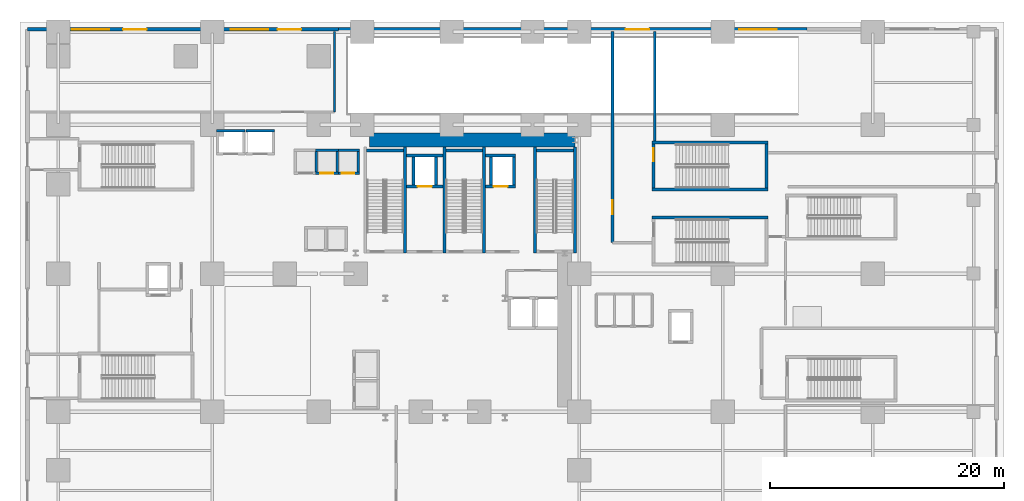
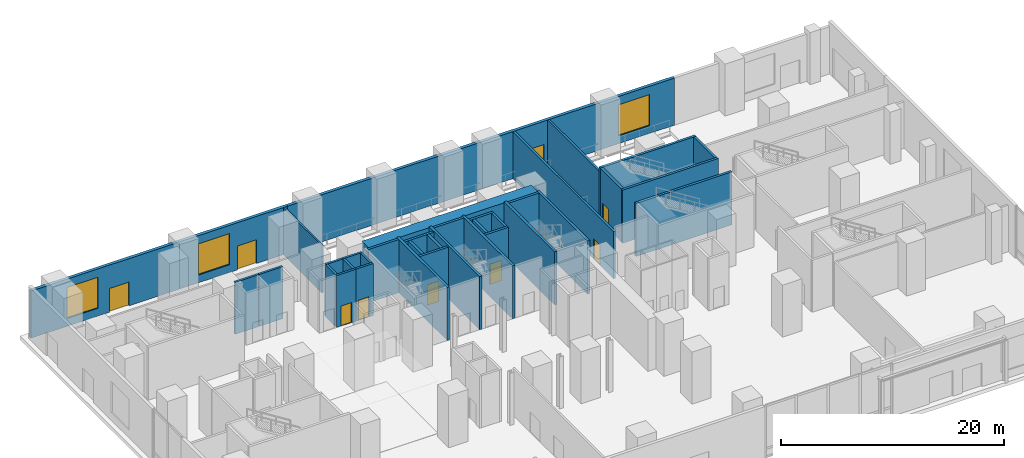
# One storey, part 16 of 25: 37 walls, 9 doors, 3 windows, 12 openings.
"""IFC4 building model written with IfcOpenShell, lengths in metres."""

from ifc_helpers import new_model, si_unit, direction, frame, frame_2d, origin, place, context, subcontext, project, spatial, rectangle, extrude, source, transform, mapped, material, layer, layer_set, type_object, element, fill, save


model = new_model("IFC4")

# Units and contexts
model_context = context("Model", 3, precision=1e-05, world=origin(), true_north=direction((0.0, 1.0)))
body_context = subcontext(model_context, "Body", "Model", "MODEL_VIEW")
ifc_project = project(units=[si_unit("LENGTHUNIT", "METRE"), si_unit("AREAUNIT", "SQUARE_METRE"), si_unit("VOLUMEUNIT", "CUBIC_METRE"), si_unit("PLANEANGLEUNIT", "RADIAN"), si_unit("MASSUNIT", "GRAM", prefix="KILO")], contexts=[model_context])

# Site, building, storey
site_placement = place(None, origin())
site = spatial("IfcSite", under=ifc_project, at=site_placement, CompositionType="ELEMENT")
building_placement = place(site_placement, origin())
building = spatial("IfcBuilding", under=site, at=building_placement, Name="Vardaveli Station Tower", CompositionType="ELEMENT")
storey_placement = place(building_placement, origin())
storey = spatial("IfcBuildingStorey", under=building, at=storey_placement, Name="L01", CompositionType="ELEMENT", Elevation=0.0)

# Wall
ifc_material_1 = material(Name="Concrete C70/85", Category="concrete")
ifc_layer_1 = layer(ifc_material_1, 1.199951171875, Name="Concrete C70/85")
ifc_layer_set_1 = layer_set([ifc_layer_1], Name="Concrete C70/85")
wall_type_1 = type_object("IfcWallType", Name="WAL-CORE-1200", PredefinedType="SHEAR", material=ifc_layer_set_1)
shared_shape_1 = source(origin(), body_context, "Body", "SweptSolid", [
    extrude(rectangle(XDim=17.52001953125, YDim=1.199951171875, at=frame_2d((8.760009765625, 0.0))), origin(), (0.0, 0.0, 1.0), 5.679931640625),
])
wall_1_placement = place(storey_placement, frame((29.85009765625, 40.300048828125, 0.0), z_axis=(0.0, 0.0, 1.0), x_axis=(1.0, 0.0, 0.0)))
element("IfcWall", 1, at=wall_1_placement, inside=storey, type_object=wall_type_1, Name="SW-L01-NORTH", PredefinedType="SHEAR", context=body_context, shape_type="MappedRepresentation", body=[
    mapped(shared_shape_1, transform((0.0, 0.0, 0.0), scale=1.0)),
])

# Wall, openings, door, window
ifc_material_2 = material(Name="Precast concrete C45/55", Category="concrete")
ifc_layer_2 = layer(ifc_material_2, 0.320068359375, Name="Precast concrete C45/55")
ifc_layer_set_2 = layer_set([ifc_layer_2], Name="Precast concrete C45/55")
wall_type_2 = type_object("IfcWallType", Name="WAL-EXT-STONE-320", PredefinedType="SOLIDWALL", material=ifc_layer_set_2)
shared_shape_2 = source(origin(), body_context, "Body", "SweptSolid", [
    extrude(rectangle(XDim=15.35009765625, YDim=0.320068359375, at=frame_2d((7.675048828125, 0.0))), origin(), (0.0, 0.0, 1.0), 5.15087890625),
])
wall_2_placement = place(storey_placement, frame((16.0, 49.75, 0.0), z_axis=(0.0, 0.0, 1.0), x_axis=(-1.0, 0.0, 0.0)))
wall_2 = element("IfcWall", 2, at=wall_2_placement, inside=storey, type_object=wall_type_2, Name="EW-L01-N1", PredefinedType="SOLIDWALL", context=body_context, shape_type="MappedRepresentation", body=[
    mapped(shared_shape_2, transform((0.0, 0.0, 0.0), scale=1.0)),
])
shared_shape_3 = source(origin(), body_context, "Body", "SweptSolid", [
    extrude(rectangle(XDim=2.0, YDim=2.60009765625, at=frame_2d((1.0, 1.300048828125))), frame((0.0, 0.169921875, 0.0), z_axis=(0.0, -1.0, 0.0), x_axis=(1.0, 0.0, 0.0)), (0.0, 0.0, 1.0), 0.340087890625),
])
opening_1_placement = place(wall_2_placement, frame((5.199951171875, 0.0, 0.0)))
opening_1 = element("IfcOpeningElement", 3, at=opening_1_placement, cuts=wall_2, Name="Opening EX-04", PredefinedType="OPENING", context=body_context, shape_type="MappedRepresentation", body=[
    mapped(shared_shape_3, transform((0.0, 0.0, 0.0), scale=1.0)),
])
shared_shape_4 = source(origin(), body_context, "Body", "SweptSolid", [
    extrude(rectangle(XDim=3.199951171875, YDim=3.39990234375, at=frame_2d((1.60009765625, 1.699951171875))), frame((0.0, 0.169921875, 0.0), z_axis=(0.0, -1.0, 0.0), x_axis=(1.0, 0.0, 0.0)), (0.0, 0.0, 1.0), 0.340087890625),
])
opening_2_placement = place(wall_2_placement, frame((8.39990234375, 0.0, 0.85009765625)))
opening_2 = element("IfcOpeningElement", 4, at=opening_2_placement, cuts=wall_2, Name="Opening W-01", PredefinedType="OPENING", context=body_context, shape_type="MappedRepresentation", body=[
    mapped(shared_shape_4, transform((0.0, 0.0, 0.0), scale=1.0)),
])
ifc_material_3 = material(Name="Brushed stainless steel and glass", Category="steel")
door_type_1 = type_object("IfcDoorType", Name="DR-EX-2000x2600", OperationType="DOUBLE_DOOR_SINGLE_SWING", PredefinedType="DOOR", material=ifc_material_3)
shared_shape_5 = source(origin(), body_context, "Body", "SweptSolid", [
    extrude(rectangle(XDim=2.0, YDim=2.60009765625, at=frame_2d((1.0, 1.300048828125))), frame((0.0, 0.02490234375, 0.0), z_axis=(0.0, -1.0, 0.0), x_axis=(1.0, 0.0, 0.0)), (0.0, 0.0, 1.0), 0.050048828125),
])
door_1_placement = place(opening_1_placement, frame((2.0, 0.0, 0.0), z_axis=(0.0, 0.0, 1.0), x_axis=(-1.0, 0.0, 0.0)))
door_1 = element("IfcDoor", 5, at=door_1_placement, inside=storey, type_object=door_type_1, Name="EX-04", OperationType="DOUBLE_DOOR_SINGLE_SWING", OverallHeight=2.60009765625, OverallWidth=2.0, PredefinedType="DOOR", context=body_context, shape_type="MappedRepresentation", body=[
    mapped(shared_shape_5, transform((0.0, 0.0, 0.0), scale=1.0)),
])
fill(opening_1, door_1)
ifc_material_4 = material(Name="Low-E acoustic laminated glass", Category="glass")
window_type = type_object("IfcWindowType", Name="WIN-CONC-3200x3400", PartitioningType="SINGLE_PANEL", PredefinedType="WINDOW", material=ifc_material_4)
shared_shape_6 = source(origin(), body_context, "Body", "SweptSolid", [
    extrude(rectangle(XDim=3.199951171875, YDim=3.39990234375, at=frame_2d((1.60009765625, 1.699951171875))), frame((0.0, 0.030029296875, 0.0), z_axis=(0.0, -1.0, 0.0), x_axis=(1.0, 0.0, 0.0)), (0.0, 0.0, 1.0), 0.06005859375),
])
window_1_placement = place(opening_2_placement, origin())
window_1 = element("IfcWindow", 6, at=window_1_placement, inside=storey, type_object=window_type, Name="WN-L01-N1", OverallHeight=3.39990234375, OverallWidth=3.199951171875, PartitioningType="SINGLE_PANEL", PredefinedType="WINDOW", context=body_context, shape_type="MappedRepresentation", body=[
    mapped(shared_shape_6, transform((0.0, 0.0, 0.0), scale=1.0)),
])
fill(opening_2, window_1)

shared_shape_7 = source(origin(), body_context, "Body", "SweptSolid", [
    extrude(rectangle(XDim=11.199951171875, YDim=0.320068359375, at=frame_2d((5.60009765625, 0.0))), origin(), (0.0, 0.0, 1.0), 5.15087890625),
])
wall_3_placement = place(storey_placement, frame((27.199951171875, 49.75, 0.0), z_axis=(0.0, 0.0, 1.0), x_axis=(-1.0, 0.0, 0.0)))
wall_3 = element("IfcWall", 7, at=wall_3_placement, inside=storey, type_object=wall_type_2, Name="EW-L01-N2", PredefinedType="SOLIDWALL", context=body_context, shape_type="MappedRepresentation", body=[
    mapped(shared_shape_7, transform((0.0, 0.0, 0.0), scale=1.0)),
])
opening_3_placement = place(wall_3_placement, frame((3.199951171875, 0.0, 0.0)))
opening_3 = element("IfcOpeningElement", 8, at=opening_3_placement, cuts=wall_3, Name="Opening EX-05", PredefinedType="OPENING", context=body_context, shape_type="MappedRepresentation", body=[
    mapped(shared_shape_3, transform((0.0, 0.0, 0.0), scale=1.0)),
])
opening_4_placement = place(wall_3_placement, frame((6.0, 0.0, 0.85009765625)))
opening_4 = element("IfcOpeningElement", 9, at=opening_4_placement, cuts=wall_3, Name="Opening W-01", PredefinedType="OPENING", context=body_context, shape_type="MappedRepresentation", body=[
    mapped(shared_shape_4, transform((0.0, 0.0, 0.0), scale=1.0)),
])
door_2_placement = place(opening_3_placement, frame((2.0, 0.0, 0.0), z_axis=(0.0, 0.0, 1.0), x_axis=(-1.0, 0.0, 0.0)))
door_2 = element("IfcDoor", 10, at=door_2_placement, inside=storey, type_object=door_type_1, Name="EX-05", OperationType="DOUBLE_DOOR_SINGLE_SWING", OverallHeight=2.60009765625, OverallWidth=2.0, PredefinedType="DOOR", context=body_context, shape_type="MappedRepresentation", body=[
    mapped(shared_shape_5, transform((0.0, 0.0, 0.0), scale=1.0)),
])
fill(opening_3, door_2)
window_2_placement = place(opening_4_placement, origin())
window_2 = element("IfcWindow", 11, at=window_2_placement, inside=storey, type_object=window_type, Name="WN-L01-N2", OverallHeight=3.39990234375, OverallWidth=3.199951171875, PartitioningType="SINGLE_PANEL", PredefinedType="WINDOW", context=body_context, shape_type="MappedRepresentation", body=[
    mapped(shared_shape_6, transform((0.0, 0.0, 0.0), scale=1.0)),
])
fill(opening_4, window_2)

shared_shape_8 = source(origin(), body_context, "Body", "SweptSolid", [
    extrude(rectangle(XDim=40.0, YDim=0.320068359375, at=frame_2d((20.0, 0.0))), origin(), (0.0, 0.0, 1.0), 5.15087890625),
])
wall_4_placement = place(storey_placement, frame((67.199951171875, 49.75, 0.0), z_axis=(0.0, 0.0, 1.0), x_axis=(-1.0, 0.0, 0.0)))
wall_4 = element("IfcWall", 12, at=wall_4_placement, inside=storey, type_object=wall_type_2, Name="EW-L01-N3", PredefinedType="SOLIDWALL", context=body_context, shape_type="MappedRepresentation", body=[
    mapped(shared_shape_8, transform((0.0, 0.0, 0.0), scale=1.0)),
])
opening_5_placement = place(wall_4_placement, frame((13.5, 0.0, 0.0)))
opening_5 = element("IfcOpeningElement", 13, at=opening_5_placement, cuts=wall_4, Name="Opening EX-13", PredefinedType="OPENING", context=body_context, shape_type="MappedRepresentation", body=[
    mapped(shared_shape_3, transform((0.0, 0.0, 0.0), scale=1.0)),
])
opening_6_placement = place(wall_4_placement, frame((2.60009765625, 0.0, 0.85009765625)))
opening_6 = element("IfcOpeningElement", 14, at=opening_6_placement, cuts=wall_4, Name="Opening W-01", PredefinedType="OPENING", context=body_context, shape_type="MappedRepresentation", body=[
    mapped(shared_shape_4, transform((0.0, 0.0, 0.0), scale=1.0)),
])
door_3_placement = place(opening_5_placement, frame((2.0, 0.0, 0.0), z_axis=(0.0, 0.0, 1.0), x_axis=(-1.0, 0.0, 0.0)))
door_3 = element("IfcDoor", 15, at=door_3_placement, inside=storey, type_object=door_type_1, Name="EX-13", OperationType="DOUBLE_DOOR_SINGLE_SWING", OverallHeight=2.60009765625, OverallWidth=2.0, PredefinedType="DOOR", context=body_context, shape_type="MappedRepresentation", body=[
    mapped(shared_shape_5, transform((0.0, 0.0, 0.0), scale=1.0)),
])
fill(opening_5, door_3)
window_3_placement = place(opening_6_placement, origin())
window_3 = element("IfcWindow", 16, at=window_3_placement, inside=storey, type_object=window_type, Name="WN-L01-N3", OverallHeight=3.39990234375, OverallWidth=3.199951171875, PartitioningType="SINGLE_PANEL", PredefinedType="WINDOW", context=body_context, shape_type="MappedRepresentation", body=[
    mapped(shared_shape_6, transform((0.0, 0.0, 0.0), scale=1.0)),
])
fill(opening_6, window_3)

# Walls
ifc_material_5 = material(Name="Concrete C40/50", Category="concrete")
ifc_layer_3 = layer(ifc_material_5, 0.25, Name="Concrete C40/50")
ifc_layer_set_3 = layer_set([ifc_layer_3], Name="Concrete C40/50")
wall_type_3 = type_object("IfcWallType", Name="WAL-SHAFT-250", PredefinedType="SOLIDWALL", material=ifc_layer_set_3)
shared_shape_9 = source(origin(), body_context, "Body", "SweptSolid", [
    extrude(rectangle(XDim=9.050048828125, YDim=0.25, at=frame_2d((4.52490234375, 0.0))), origin(), (0.0, 0.0, 1.0), 5.800048828125),
])
for number, where, z_axis, x_axis, name in (
    (17, (32.875, 30.64990234375, 0.0), (0.0, 0.0, 1.0), (0.0, 1.0, 0.0), "W-L01-ST-1E"),
    (18, (36.22509765625, 30.64990234375, 0.0), (0.0, 0.0, 1.0), (0.0, 1.0, 0.0), "W-L01-ST-2W"),
    (19, (39.625, 30.64990234375, 0.0), (0.0, 0.0, 1.0), (0.0, 1.0, 0.0), "W-L01-ST-2E"),
    (20, (43.97509765625, 30.64990234375, 0.0), (0.0, 0.0, 1.0), (0.0, 1.0, 0.0), "W-L01-ST-3W"),
    (21, (47.375, 30.64990234375, 0.0), (0.0, 0.0, 1.0), (0.0, 1.0, 0.0), "W-L01-ST-3E"),
):
    element("IfcWall", number, at=place(storey_placement, frame(where, z_axis=z_axis, x_axis=x_axis)), inside=storey, type_object=wall_type_3, Name=name, PredefinedType="SOLIDWALL", context=body_context, shape_type="MappedRepresentation", body=[
        mapped(shared_shape_9, transform((0.0, 0.0, 0.0), scale=1.0)),
    ])
shared_shape_10 = source(origin(), body_context, "Body", "SweptSolid", [
    extrude(rectangle(XDim=3.14990234375, YDim=0.25, at=frame_2d((1.574951171875, 0.0))), origin(), (0.0, 0.0, 1.0), 5.800048828125),
])
for number, where, z_axis, x_axis, name in (
    (22, (29.60009765625, 39.425048828125, 0.0), (0.0, 0.0, 1.0), (1.0, 0.0, 0.0), "W-L01-ST-1N"),
    (23, (36.35009765625, 39.425048828125, 0.0), (0.0, 0.0, 1.0), (1.0, 0.0, 0.0), "W-L01-ST-2N"),
    (24, (44.10009765625, 39.425048828125, 0.0), (0.0, 0.0, 1.0), (1.0, 0.0, 0.0), "W-L01-ST-3N"),
):
    element("IfcWall", number, at=place(storey_placement, frame(where, z_axis=z_axis, x_axis=x_axis)), inside=storey, type_object=wall_type_3, Name=name, PredefinedType="SOLIDWALL", context=body_context, shape_type="MappedRepresentation", body=[
        mapped(shared_shape_10, transform((0.0, 0.0, 0.0), scale=1.0)),
    ])
shared_shape_11 = source(origin(), body_context, "Body", "SweptSolid", [
    extrude(rectangle(XDim=9.900146484375, YDim=0.25, at=frame_2d((4.9501953125, 0.0))), origin(), (0.0, 0.0, 1.0), 5.800048828125),
])
for number, where, z_axis, x_axis, name in (
    (25, (53.949951171875, 33.675048828125, 0.0), (0.0, 0.0, 1.0), (1.0, 0.0, 0.0), "W-L01-ST-S2N"),
    (26, (53.949951171875, 36.074951171875, 0.0), (0.0, 0.0, 1.0), (1.0, 0.0, 0.0), "W-L01-ST-P2S"),
    (27, (53.949951171875, 40.074951171875, 0.0), (0.0, 0.0, 1.0), (1.0, 0.0, 0.0), "W-L01-ST-P2N"),
):
    element("IfcWall", number, at=place(storey_placement, frame(where, z_axis=z_axis, x_axis=x_axis)), inside=storey, type_object=wall_type_3, Name=name, PredefinedType="SOLIDWALL", context=body_context, shape_type="MappedRepresentation", body=[
        mapped(shared_shape_11, transform((0.0, 0.0, 0.0), scale=1.0)),
    ])
shared_shape_12 = source(origin(), body_context, "Body", "SweptSolid", [
    extrude(rectangle(XDim=3.75, YDim=0.25, at=frame_2d((1.875, 0.0))), origin(), (0.0, 0.0, 1.0), 5.800048828125),
])
wall_5_placement = place(storey_placement, frame((63.72509765625, 36.199951171875, 0.0), z_axis=(0.0, 0.0, 1.0), x_axis=(0.0, 1.0, 0.0)))
element("IfcWall", 28, at=wall_5_placement, inside=storey, type_object=wall_type_3, Name="W-L01-ST-P2E", PredefinedType="SOLIDWALL", context=body_context, shape_type="MappedRepresentation", body=[
    mapped(shared_shape_12, transform((0.0, 0.0, 0.0), scale=1.0)),
])

# Wall, opening, door
wall_6_placement = place(storey_placement, frame((54.074951171875, 36.199951171875, 0.0), z_axis=(0.0, 0.0, 1.0), x_axis=(0.0, 1.0, 0.0)))
wall_6 = element("IfcWall", 29, at=wall_6_placement, inside=storey, type_object=wall_type_3, Name="W-L01-ST-P2W", PredefinedType="SOLIDWALL", context=body_context, shape_type="MappedRepresentation", body=[
    mapped(shared_shape_12, transform((0.0, 0.0, 0.0), scale=1.0)),
])
shared_shape_13 = source(origin(), body_context, "Body", "SweptSolid", [
    extrude(rectangle(XDim=1.10009765625, YDim=2.199951171875, at=frame_2d((0.550048828125, 1.10009765625))), frame((0.0, 0.135009765625, 0.0), z_axis=(0.0, -1.0, 0.0), x_axis=(1.0, 0.0, 0.0)), (0.0, 0.0, 1.0), 0.27001953125),
])
opening_7_placement = place(wall_6_placement, frame((2.300048828125, 0.0, 0.0)))
opening_7 = element("IfcOpeningElement", 30, at=opening_7_placement, cuts=wall_6, Name="Opening D-04", PredefinedType="OPENING", context=body_context, shape_type="MappedRepresentation", body=[
    mapped(shared_shape_13, transform((0.0, 0.0, 0.0), scale=1.0)),
])
ifc_material_6 = material(Name="Steel smokeproof fire doorset", Category="steel")
door_type_2 = type_object("IfcDoorType", Name="DR-ST-1100x2200", OperationType="NOTDEFINED", PredefinedType="DOOR", material=ifc_material_6)
shared_shape_14 = source(origin(), body_context, "Body", "SweptSolid", [
    extrude(rectangle(XDim=1.10009765625, YDim=2.199951171875, at=frame_2d((0.550048828125, 1.10009765625))), frame((0.0, 0.02490234375, 0.0), z_axis=(0.0, -1.0, 0.0), x_axis=(1.0, 0.0, 0.0)), (0.0, 0.0, 1.0), 0.050048828125),
])
door_4_placement = place(opening_7_placement, origin())
door_4 = element("IfcDoor", 31, at=door_4_placement, inside=storey, type_object=door_type_2, Name="DST-P2-L01", OperationType="SINGLE_SWING_RIGHT", OverallHeight=2.199951171875, OverallWidth=1.10009765625, PredefinedType="DOOR", context=body_context, shape_type="MappedRepresentation", body=[
    mapped(shared_shape_14, transform((0.0, 0.0, 0.0), scale=1.0)),
])
fill(opening_7, door_4)

# Walls
shared_shape_15 = source(origin(), body_context, "Body", "SweptSolid", [
    extrude(rectangle(XDim=2.400146484375, YDim=0.25, at=frame_2d((1.2001953125, 0.0))), origin(), (0.0, 0.0, 1.0), 5.679931640625),
])
for number, where, z_axis, x_axis, name in (
    (32, (33.574951171875, 36.449951171875, 0.0), (0.0, 0.0, 1.0), (0.0, 1.0, 0.0), "SHW-FFL-01-L01-W"),
    (33, (35.52490234375, 36.449951171875, 0.0), (0.0, 0.0, 1.0), (0.0, 1.0, 0.0), "SHW-FFL-01-L01-E"),
    (34, (40.22509765625, 36.449951171875, 0.0), (0.0, 0.0, 1.0), (0.0, 1.0, 0.0), "SHW-FFL-02-L01-W"),
    (35, (42.175048828125, 36.449951171875, 0.0), (0.0, 0.0, 1.0), (0.0, 1.0, 0.0), "SHW-FFL-02-L01-E"),
):
    element("IfcWall", number, at=place(storey_placement, frame(where, z_axis=z_axis, x_axis=x_axis)), inside=storey, type_object=wall_type_3, Name=name, PredefinedType="SOLIDWALL", context=body_context, shape_type="MappedRepresentation", body=[
        mapped(shared_shape_15, transform((0.0, 0.0, 0.0), scale=1.0)),
    ])
ifc_layer_4 = layer(ifc_material_5, 0.219970703125, Name="Concrete C40/50")
ifc_layer_set_4 = layer_set([ifc_layer_4], Name="Concrete C40/50")
wall_type_4 = type_object("IfcWallType", Name="WAL-FFLOBBY-220", PredefinedType="SOLIDWALL", material=ifc_layer_set_4)
shared_shape_16 = source(origin(), body_context, "Body", "SweptSolid", [
    extrude(rectangle(XDim=2.43994140625, YDim=0.219970703125, at=frame_2d((1.219970703125, 0.0))), origin(), (0.0, 0.0, 1.0), 5.679931640625),
])
for number, where, z_axis, x_axis, name in (
    (36, (16.780029296875, 41.0849609375, 0.0), (0.0, 0.0, 1.0), (1.0, 0.0, 0.0), "SHW-POD-01-L01-N"),
    (37, (19.280029296875, 41.0849609375, 0.0), (0.0, 0.0, 1.0), (1.0, 0.0, 0.0), "SHW-POD-02-L01-N"),
):
    element("IfcWall", number, at=place(storey_placement, frame(where, z_axis=z_axis, x_axis=x_axis)), inside=storey, type_object=wall_type_4, Name=name, PredefinedType="SOLIDWALL", context=body_context, shape_type="MappedRepresentation", body=[
        mapped(shared_shape_16, transform((0.0, 0.0, 0.0), scale=1.0)),
    ])
shared_shape_17 = source(origin(), body_context, "Body", "SweptSolid", [
    extrude(rectangle(XDim=1.75, YDim=0.219970703125, at=frame_2d((0.875, 0.0))), origin(), (0.0, 0.0, 1.0), 5.679931640625),
])
for number, where, z_axis, x_axis, name in (
    (38, (25.284912109375, 37.574951171875, 0.0), (0.0, 0.0, 1.0), (0.0, 1.0, 0.0), "SHW-HL1-01-L01-E"),
    (39, (27.0849609375, 37.574951171875, 0.0), (0.0, 0.0, 1.0), (0.0, 1.0, 0.0), "SHW-HL1-02-L01-E"),
    (40, (28.885009765625, 37.574951171875, 0.0), (0.0, 0.0, 1.0), (0.0, 1.0, 0.0), "SHW-HL1-03-L01-E"),
):
    element("IfcWall", number, at=place(storey_placement, frame(where, z_axis=z_axis, x_axis=x_axis)), inside=storey, type_object=wall_type_4, Name=name, PredefinedType="SOLIDWALL", context=body_context, shape_type="MappedRepresentation", body=[
        mapped(shared_shape_17, transform((0.0, 0.0, 0.0), scale=1.0)),
    ])

# Wall, opening, door
shared_shape_18 = source(origin(), body_context, "Body", "SweptSolid", [
    extrude(rectangle(XDim=1.989990234375, YDim=0.219970703125, at=frame_2d((0.9951171875, 0.0))), origin(), (0.0, 0.0, 1.0), 5.679931640625),
])
wall_7_placement = place(storey_placement, frame((25.205078125, 37.465087890625, 0.0), z_axis=(0.0, 0.0, 1.0), x_axis=(1.0, 0.0, 0.0)))
wall_7 = element("IfcWall", 41, at=wall_7_placement, inside=storey, type_object=wall_type_4, Name="SHW-HL1-02-L01-S", PredefinedType="SOLIDWALL", context=body_context, shape_type="MappedRepresentation", body=[
    mapped(shared_shape_18, transform((0.0, 0.0, 0.0), scale=1.0)),
])
shared_shape_19 = source(origin(), body_context, "Body", "SweptSolid", [
    extrude(rectangle(XDim=1.10009765625, YDim=2.199951171875, at=frame_2d((0.550048828125, 1.10009765625))), frame((0.0, 0.1201171875, 0.0), z_axis=(0.0, -1.0, 0.0), x_axis=(1.0, 0.0, 0.0)), (0.0, 0.0, 1.0), 0.239990234375),
])
opening_8_placement = place(wall_7_placement, frame((0.445068359375, 0.0, 0.0)))
opening_8 = element("IfcOpeningElement", 42, at=opening_8_placement, cuts=wall_7, Name="Opening LD-01", PredefinedType="OPENING", context=body_context, shape_type="MappedRepresentation", body=[
    mapped(shared_shape_19, transform((0.0, 0.0, 0.0), scale=1.0)),
])
ifc_material_7 = material(Name="Brushed stainless steel", Category="steel")
door_type_3 = type_object("IfcDoorType", Name="DR-LD-1100x2200", OperationType="DOUBLE_DOOR_SLIDING", PredefinedType="DOOR", material=ifc_material_7)
door_5_placement = place(opening_8_placement, origin())
door_5 = element("IfcDoor", 43, at=door_5_placement, inside=storey, type_object=door_type_3, Name="LD-HL1-02-L01", OperationType="DOUBLE_DOOR_SLIDING", OverallHeight=2.199951171875, OverallWidth=1.10009765625, PredefinedType="DOOR", context=body_context, shape_type="MappedRepresentation", body=[
    mapped(shared_shape_14, transform((0.0, 0.0, 0.0), scale=1.0)),
])
fill(opening_8, door_5)

# Wall
wall_8_placement = place(storey_placement, frame((25.205078125, 39.43505859375, 0.0), z_axis=(0.0, 0.0, 1.0), x_axis=(1.0, 0.0, 0.0)))
element("IfcWall", 44, at=wall_8_placement, inside=storey, type_object=wall_type_4, Name="SHW-HL1-02-L01-N", PredefinedType="SOLIDWALL", context=body_context, shape_type="MappedRepresentation", body=[
    mapped(shared_shape_18, transform((0.0, 0.0, 0.0), scale=1.0)),
])

# Wall, opening, door
shared_shape_20 = source(origin(), body_context, "Body", "SweptSolid", [
    extrude(rectangle(XDim=1.990234375, YDim=0.219970703125, at=frame_2d((0.9951171875, 0.0))), origin(), (0.0, 0.0, 1.0), 5.679931640625),
])
wall_9_placement = place(storey_placement, frame((27.0048828125, 37.465087890625, 0.0), z_axis=(0.0, 0.0, 1.0), x_axis=(1.0, 0.0, 0.0)))
wall_9 = element("IfcWall", 45, at=wall_9_placement, inside=storey, type_object=wall_type_4, Name="SHW-HL1-03-L01-S", PredefinedType="SOLIDWALL", context=body_context, shape_type="MappedRepresentation", body=[
    mapped(shared_shape_20, transform((0.0, 0.0, 0.0), scale=1.0)),
])
opening_9_placement = place(wall_9_placement, frame((0.445068359375, 0.0, 0.0)))
opening_9 = element("IfcOpeningElement", 46, at=opening_9_placement, cuts=wall_9, Name="Opening LD-01", PredefinedType="OPENING", context=body_context, shape_type="MappedRepresentation", body=[
    mapped(shared_shape_19, transform((0.0, 0.0, 0.0), scale=1.0)),
])
door_6_placement = place(opening_9_placement, origin())
door_6 = element("IfcDoor", 47, at=door_6_placement, inside=storey, type_object=door_type_3, Name="LD-HL1-03-L01", OperationType="DOUBLE_DOOR_SLIDING", OverallHeight=2.199951171875, OverallWidth=1.10009765625, PredefinedType="DOOR", context=body_context, shape_type="MappedRepresentation", body=[
    mapped(shared_shape_14, transform((0.0, 0.0, 0.0), scale=1.0)),
])
fill(opening_9, door_6)

# Wall
wall_10_placement = place(storey_placement, frame((27.0048828125, 39.43505859375, 0.0), z_axis=(0.0, 0.0, 1.0), x_axis=(1.0, 0.0, 0.0)))
element("IfcWall", 48, at=wall_10_placement, inside=storey, type_object=wall_type_4, Name="SHW-HL1-03-L01-N", PredefinedType="SOLIDWALL", context=body_context, shape_type="MappedRepresentation", body=[
    mapped(shared_shape_20, transform((0.0, 0.0, 0.0), scale=1.0)),
])

# Wall, opening, door
shared_shape_21 = source(origin(), body_context, "Body", "SweptSolid", [
    extrude(rectangle(XDim=3.10009765625, YDim=0.25, at=frame_2d((1.550048828125, 0.0))), origin(), (0.0, 0.0, 1.0), 5.679931640625),
])
wall_11_placement = place(storey_placement, frame((33.0, 36.324951171875, 0.0), z_axis=(0.0, 0.0, 1.0), x_axis=(1.0, 0.0, 0.0)))
wall_11 = element("IfcWall", 49, at=wall_11_placement, inside=storey, type_object=wall_type_3, Name="SHW-FFL-01-L01-S", PredefinedType="SOLIDWALL", context=body_context, shape_type="MappedRepresentation", body=[
    mapped(shared_shape_21, transform((0.0, 0.0, 0.0), scale=1.0)),
])
shared_shape_22 = source(origin(), body_context, "Body", "SweptSolid", [
    extrude(rectangle(XDim=1.199951171875, YDim=2.25, at=frame_2d((0.60009765625, 1.125))), frame((0.0, 0.135009765625, 0.0), z_axis=(0.0, -1.0, 0.0), x_axis=(1.0, 0.0, 0.0)), (0.0, 0.0, 1.0), 0.27001953125),
])
opening_10_placement = place(wall_11_placement, frame((0.949951171875, 0.0, 0.0)))
opening_10 = element("IfcOpeningElement", 50, at=opening_10_placement, cuts=wall_11, Name="Opening LD-02", PredefinedType="OPENING", context=body_context, shape_type="MappedRepresentation", body=[
    mapped(shared_shape_22, transform((0.0, 0.0, 0.0), scale=1.0)),
])
door_type_4 = type_object("IfcDoorType", Name="DR-LD-1200x2250", OperationType="DOUBLE_DOOR_SLIDING", PredefinedType="DOOR", material=ifc_material_7)
shared_shape_23 = source(origin(), body_context, "Body", "SweptSolid", [
    extrude(rectangle(XDim=1.199951171875, YDim=2.25, at=frame_2d((0.60009765625, 1.125))), frame((0.0, 0.02490234375, 0.0), z_axis=(0.0, -1.0, 0.0), x_axis=(1.0, 0.0, 0.0)), (0.0, 0.0, 1.0), 0.050048828125),
])
door_7_placement = place(opening_10_placement, origin())
door_7 = element("IfcDoor", 51, at=door_7_placement, inside=storey, type_object=door_type_4, Name="LD-FFL-01-L01", OperationType="DOUBLE_DOOR_SLIDING", OverallHeight=2.25, OverallWidth=1.199951171875, PredefinedType="DOOR", context=body_context, shape_type="MappedRepresentation", body=[
    mapped(shared_shape_23, transform((0.0, 0.0, 0.0), scale=1.0)),
])
fill(opening_10, door_7)

# Wall
wall_12_placement = place(storey_placement, frame((33.0, 38.97509765625, 0.0), z_axis=(0.0, 0.0, 1.0), x_axis=(1.0, 0.0, 0.0)))
element("IfcWall", 52, at=wall_12_placement, inside=storey, type_object=wall_type_3, Name="SHW-FFL-01-L01-N", PredefinedType="SOLIDWALL", context=body_context, shape_type="MappedRepresentation", body=[
    mapped(shared_shape_21, transform((0.0, 0.0, 0.0), scale=1.0)),
])

# Wall, opening, door
shared_shape_24 = source(origin(), body_context, "Body", "SweptSolid", [
    extrude(rectangle(XDim=2.550048828125, YDim=0.25, at=frame_2d((1.27490234375, 0.0))), origin(), (0.0, 0.0, 1.0), 5.679931640625),
])
wall_13_placement = place(storey_placement, frame((39.75, 36.324951171875, 0.0), z_axis=(0.0, 0.0, 1.0), x_axis=(1.0, 0.0, 0.0)))
wall_13 = element("IfcWall", 53, at=wall_13_placement, inside=storey, type_object=wall_type_3, Name="SHW-FFL-02-L01-S", PredefinedType="SOLIDWALL", context=body_context, shape_type="MappedRepresentation", body=[
    mapped(shared_shape_24, transform((0.0, 0.0, 0.0), scale=1.0)),
])
opening_11_placement = place(wall_13_placement, frame((0.675048828125, 0.0, 0.0)))
opening_11 = element("IfcOpeningElement", 54, at=opening_11_placement, cuts=wall_13, Name="Opening LD-02", PredefinedType="OPENING", context=body_context, shape_type="MappedRepresentation", body=[
    mapped(shared_shape_22, transform((0.0, 0.0, 0.0), scale=1.0)),
])
door_8_placement = place(opening_11_placement, origin())
door_8 = element("IfcDoor", 55, at=door_8_placement, inside=storey, type_object=door_type_4, Name="LD-FFL-02-L01", OperationType="DOUBLE_DOOR_SLIDING", OverallHeight=2.25, OverallWidth=1.199951171875, PredefinedType="DOOR", context=body_context, shape_type="MappedRepresentation", body=[
    mapped(shared_shape_23, transform((0.0, 0.0, 0.0), scale=1.0)),
])
fill(opening_11, door_8)

# Wall
wall_14_placement = place(storey_placement, frame((39.75, 38.97509765625, 0.0), z_axis=(0.0, 0.0, 1.0), x_axis=(1.0, 0.0, 0.0)))
element("IfcWall", 56, at=wall_14_placement, inside=storey, type_object=wall_type_3, Name="SHW-FFL-02-L01-N", PredefinedType="SOLIDWALL", context=body_context, shape_type="MappedRepresentation", body=[
    mapped(shared_shape_24, transform((0.0, 0.0, 0.0), scale=1.0)),
])

# Wall, opening, door
shared_shape_25 = source(origin(), body_context, "Body", "SweptSolid", [
    extrude(rectangle(XDim=18.037841796875, YDim=0.219970703125, at=frame_2d((9.01904296875, 0.0))), origin(), (0.0, 0.0, 1.0), 5.14794921875),
])
wall_15_placement = place(storey_placement, frame((50.580078125, 31.550048828125, 0.0), z_axis=(0.0, 0.0, 1.0), x_axis=(0.0, 1.0, 0.0)))
wall_15 = element("IfcWall", 57, at=wall_15_placement, inside=storey, type_object=wall_type_4, Name="W-L01-PXPE1-W", PredefinedType="SOLIDWALL", context=body_context, shape_type="MappedRepresentation", body=[
    mapped(shared_shape_25, transform((0.0, 0.0, 0.0), scale=1.0)),
])
shared_shape_26 = source(origin(), body_context, "Body", "SweptSolid", [
    extrude(rectangle(XDim=1.199951171875, YDim=2.199951171875, at=frame_2d((0.60009765625, 1.10009765625))), frame((0.0, 0.1201171875, 0.0), z_axis=(0.0, -1.0, 0.0), x_axis=(1.0, 0.0, 0.0)), (0.0, 0.0, 1.0), 0.239990234375),
])
opening_12_placement = place(wall_15_placement, frame((2.39990234375, 0.0, 0.0)))
opening_12 = element("IfcOpeningElement", 58, at=opening_12_placement, cuts=wall_15, Name="Opening D-03", PredefinedType="OPENING", context=body_context, shape_type="MappedRepresentation", body=[
    mapped(shared_shape_26, transform((0.0, 0.0, 0.0), scale=1.0)),
])
door_type_5 = type_object("IfcDoorType", Name="DR-FFL-1200x2200", OperationType="NOTDEFINED", PredefinedType="DOOR", material=ifc_material_6)
shared_shape_27 = source(origin(), body_context, "Body", "SweptSolid", [
    extrude(rectangle(XDim=1.199951171875, YDim=2.199951171875, at=frame_2d((0.60009765625, 1.10009765625))), frame((0.0, 0.02490234375, 0.0), z_axis=(0.0, -1.0, 0.0), x_axis=(1.0, 0.0, 0.0)), (0.0, 0.0, 1.0), 0.050048828125),
])
door_9_placement = place(opening_12_placement, origin())
door_9 = element("IfcDoor", 59, at=door_9_placement, inside=storey, type_object=door_type_5, Name="D-L01-PXPE1", OperationType="SINGLE_SWING_LEFT", OverallHeight=2.199951171875, OverallWidth=1.199951171875, PredefinedType="DOOR", context=body_context, shape_type="MappedRepresentation", body=[
    mapped(shared_shape_27, transform((0.0, 0.0, 0.0), scale=1.0)),
])
fill(opening_12, door_9)

# Walls
shared_shape_28 = source(origin(), body_context, "Body", "SweptSolid", [
    extrude(rectangle(XDim=9.385986328125, YDim=0.219970703125, at=frame_2d((4.69287109375, 0.0))), origin(), (0.0, 0.0, 1.0), 5.14794921875),
])
wall_16_placement = place(storey_placement, frame((54.179931640625, 40.201904296875, 0.0), z_axis=(0.0, 0.0, 1.0), x_axis=(0.0, 1.0, 0.0)))
element("IfcWall", 60, at=wall_16_placement, inside=storey, type_object=wall_type_4, Name="W-L01-PXPE1-E", PredefinedType="SOLIDWALL", context=body_context, shape_type="MappedRepresentation", body=[
    mapped(shared_shape_28, transform((0.0, 0.0, 0.0), scale=1.0)),
])
ifc_material_8 = material(Name="Fire-rated gypsum stud partition")
ifc_layer_5 = layer(ifc_material_8, 0.179931640625, Name="Fire-rated gypsum stud partition")
ifc_layer_set_5 = layer_set([ifc_layer_5], Name="Fire-rated gypsum stud partition")
wall_type_5 = type_object("IfcWallType", Name="WAL-CORR-180", PredefinedType="PARTITIONING", material=ifc_layer_set_5)
shared_shape_29 = source(origin(), body_context, "Body", "SweptSolid", [
    extrude(rectangle(XDim=6.887939453125, YDim=0.179931640625, at=frame_2d((3.44384765625, 0.0))), origin(), (0.0, 0.0, 1.0), 5.14794921875),
])
wall_17_placement = place(storey_placement, frame((26.85009765625, 42.699951171875, 0.0), z_axis=(0.0, 0.0, 1.0), x_axis=(0.0, 1.0, 0.0)))
element("IfcWall", 61, at=wall_17_placement, inside=storey, type_object=wall_type_5, Name="W-L01-RET1-E", PredefinedType="PARTITIONING", context=body_context, shape_type="MappedRepresentation", body=[
    mapped(shared_shape_29, transform((0.0, 0.0, 0.0), scale=1.0)),
])

save(model, "model.ifc")
